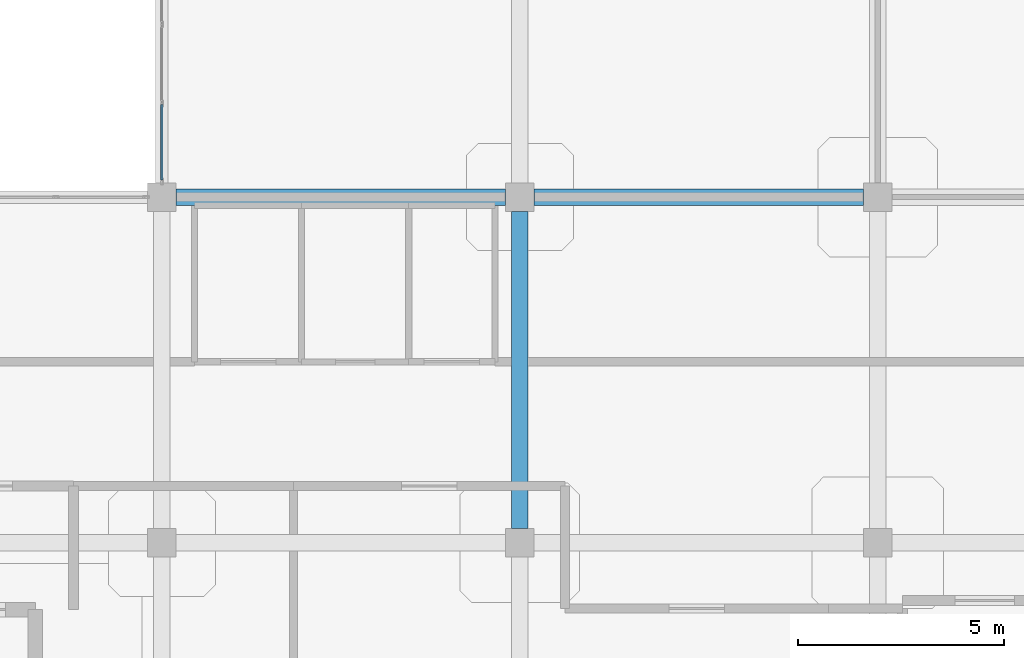
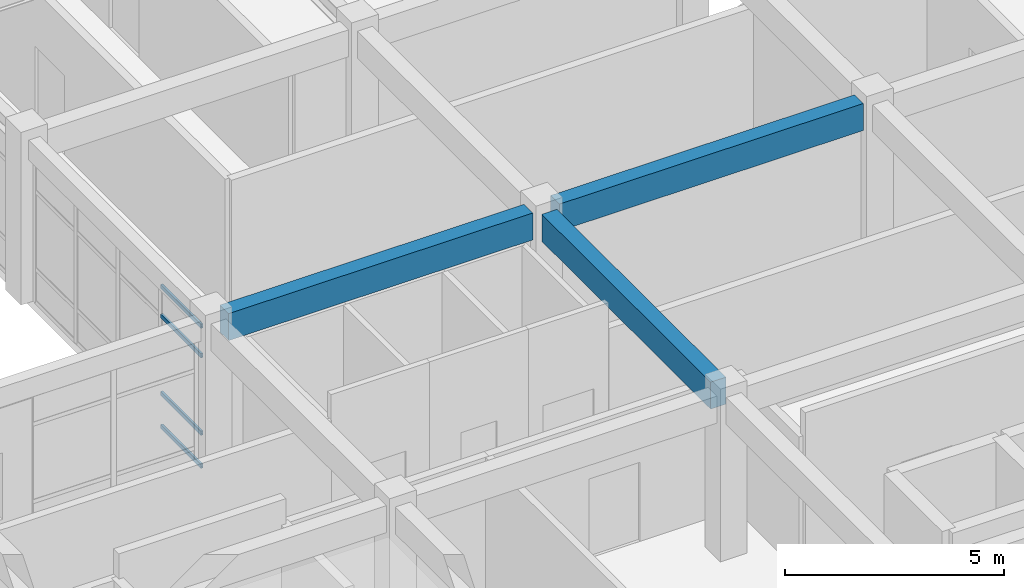
# One storey, part 12 of 76: 4 members, 3 beams, 1 element without a shape of its own.
"""IFC4 building model written with IfcOpenShell, lengths in metres."""

import ifcopenshell
import ifcopenshell.guid

model = None  # the IFC model being written
_history = None  # IfcOwnerHistory: only IFC2X3 demands one
_inside = {}  # id of a spatial element -> (the spatial element, [elements in it])
_under = {}  # id of a project, library or spatial element -> (it, [spatial elements below it])
_declared = {}  # id of a project -> (the project, [libraries it declares])
_typed = {}  # id of a type object -> (the type object, [elements of that type])
_made_of = {}  # id of a material, layer set ... -> (it, [elements and type objects made of it])


def new_model(schema):
    """Start an empty IFC model of exactly this schema.

    Asked for "IFC4X3", IfcOpenShell would pick the latest addendum, in which some entities
    have other attributes; the version numbers below select the first issue.
    IFC2X3 requires an IfcOwnerHistory on every rooted entity: one is made here for all.
    """
    global model, _history
    if schema == "IFC4X3":
        model = ifcopenshell.file(schema_version=(4, 3, 0, 0))
    else:
        model = ifcopenshell.file(schema=schema)
    _inside.clear()
    _under.clear()
    _declared.clear()
    _typed.clear()
    _made_of.clear()
    _history = None
    if model.schema == "IFC2X3":
        org = make("IfcOrganization", Name="unknown")
        user = make(
            "IfcPersonAndOrganization",
            ThePerson=make("IfcPerson", FamilyName="unknown"),
            TheOrganization=org,
        )
        app = make(
            "IfcApplication",
            ApplicationDeveloper=org,
            Version="unknown",
            ApplicationFullName="unknown",
            ApplicationIdentifier="unknown",
        )
        _history = make(
            "IfcOwnerHistory",
            OwningUser=user,
            OwningApplication=app,
            ChangeAction="ADDED",
            CreationDate=0,
        )
    return model


def make(cls, **values):
    """One entity of the class cls with the attributes given. An attribute that is None is left unset."""
    return model.create_entity(
        cls, **{name: value for name, value in values.items() if value is not None}
    )


def rooted(cls, **values):
    """An entity with a GlobalId (a new one), such as an element, a storey or a relation."""
    return make(cls, GlobalId=ifcopenshell.guid.new(), OwnerHistory=_history, **values)


def si_unit(unit_type, name, prefix=None):
    """IfcSIUnit, for example si_unit("LENGTHUNIT", "METRE", prefix="MILLI")."""
    return make("IfcSIUnit", UnitType=unit_type, Prefix=prefix, Name=name)


def derived_unit(unit_type, elements):
    """IfcDerivedUnit: a product of units, each with its exponent."""
    return make(
        "IfcDerivedUnit",
        Elements=[
            make("IfcDerivedUnitElement", Unit=unit, Exponent=power)
            for unit, power in elements
        ],
        UnitType=unit_type,
    )


def assignment(units):
    """IfcUnitAssignment: the units of a project."""
    return None if units is None else make("IfcUnitAssignment", Units=units)


def point(xyz):
    """IfcCartesianPoint."""
    return None if xyz is None else make("IfcCartesianPoint", Coordinates=xyz)


def direction(xyz):
    """IfcDirection."""
    return None if xyz is None else make("IfcDirection", DirectionRatios=xyz)


def frame(location, z_axis=None, x_axis=None):
    """IfcAxis2Placement3D, a coordinate frame: its origin and axes. An axis left out is left unset."""
    return make(
        "IfcAxis2Placement3D",
        Location=point(location),
        Axis=direction(z_axis),
        RefDirection=direction(x_axis),
    )


def frame_2d(location, x_axis=None):
    """IfcAxis2Placement2D, a coordinate frame in the plane: its origin and x axis."""
    return make(
        "IfcAxis2Placement2D", Location=point(location), RefDirection=direction(x_axis)
    )


def origin():
    """The frame at (0, 0, 0) with its axes left unset."""
    return frame((0.0, 0.0, 0.0))


def origin_2d():
    """The frame at (0, 0) in the plane with its x axis left unset."""
    return frame_2d((0.0, 0.0))


def place(relative_to, where):
    """IfcLocalPlacement: puts the frame where relative to a parent placement (None: the world)."""
    return make(
        "IfcLocalPlacement", PlacementRelTo=relative_to, RelativePlacement=where
    )


def context(
    kind, dimensions, precision=None, world=None, true_north=None, identifier=None
):
    """IfcGeometricRepresentationContext, for example the 3D "Model" context."""
    return make(
        "IfcGeometricRepresentationContext",
        ContextIdentifier=identifier,
        ContextType=kind,
        CoordinateSpaceDimension=dimensions,
        Precision=precision,
        WorldCoordinateSystem=world,
        TrueNorth=true_north,
    )


def subcontext(parent, identifier, kind, view, scale=None):
    """IfcGeometricRepresentationSubContext, for example "Body" below "Model"."""
    return make(
        "IfcGeometricRepresentationSubContext",
        ContextIdentifier=identifier,
        ContextType=kind,
        ParentContext=parent,
        TargetScale=scale,
        TargetView=view,
    )


def project(units=None, contexts=None):
    """IfcProject with its units and contexts."""
    return rooted(
        "IfcProject",
        Name="project",
        RepresentationContexts=contexts,
        UnitsInContext=assignment(units),
    )


def spatial(cls, under=None, at=None, **own):
    """A site, building, storey or space (cls), placed at a placement, below another one or the project."""
    s = rooted(cls, ObjectPlacement=at, **own)
    if under is not None:
        _under.setdefault(under.id(), (under, []))[1].append(s)
    return s


def profile(cls, at=None, kind="AREA", **sizes):
    """A parametric profile (cls). Its sizes go by their IFC names, for example OverallWidth=200.0."""
    return make(cls, ProfileType=kind, Position=at, **sizes)


def rectangle(**sizes):
    """IfcRectangleProfileDef."""
    return profile("IfcRectangleProfileDef", **sizes)


def hollow_rectangle(**sizes):
    """IfcRectangleHollowProfileDef."""
    return profile("IfcRectangleHollowProfileDef", **sizes)


def extrude(swept, where, along, depth):
    """IfcExtrudedAreaSolid: the profile swept, set in the frame where, extruded along a direction by depth."""
    return make(
        "IfcExtrudedAreaSolid",
        SweptArea=swept,
        Position=where,
        ExtrudedDirection=direction(along),
        Depth=depth,
    )


def shape(context_of_items, identifier, shape_type, items):
    """IfcShapeRepresentation: the items that make up one representation, for example the "Body"."""
    return make(
        "IfcShapeRepresentation",
        ContextOfItems=context_of_items,
        RepresentationIdentifier=identifier,
        RepresentationType=shape_type,
        Items=items,
    )


def material(Name=None, Category=None):
    """IfcMaterial."""
    return make("IfcMaterial", Name=Name, Category=Category)


def layer(
    of_material, thickness, ventilated=None, Name=None, Category=None, Priority=None
):
    """IfcMaterialLayer: one layer of a wall or slab, of a material (None: an air gap)."""
    return make(
        "IfcMaterialLayer",
        Material=of_material,
        LayerThickness=thickness,
        IsVentilated=ventilated,
        Name=Name,
        Category=Category,
        Priority=Priority,
    )


def layer_set(layers, Name=None):
    """IfcMaterialLayerSet."""
    return make("IfcMaterialLayerSet", MaterialLayers=layers, LayerSetName=Name)


def material_profile(
    of_material, cross_section, Name=None, Category=None, Priority=None
):
    """IfcMaterialProfile: a cross section and its material."""
    return make(
        "IfcMaterialProfile",
        Name=Name,
        Material=of_material,
        Profile=cross_section,
        Priority=Priority,
        Category=Category,
    )


def profile_set(profiles, Name=None, composite=None):
    """IfcMaterialProfileSet."""
    return make(
        "IfcMaterialProfileSet",
        Name=Name,
        MaterialProfiles=profiles,
        CompositeProfile=composite,
    )


def made_of(thing, what):
    """Note that an element or type object is made of a material, layer set ...; save() writes the relation."""
    if what is not None:
        _made_of.setdefault(what.id(), (what, []))[1].append(thing)
    return thing


def type_object(cls, material=None, **own):
    """A type object (cls), such as IfcWallType, which elements share."""
    return made_of(rooted(cls, **own), material)


def element(
    cls,
    number,
    at=None,
    inside=None,
    cuts=None,
    type_object=None,
    material=None,
    context=None,
    identifier="Body",
    shape_type=None,
    held_by="IfcProductDefinitionShape",
    body=None,
    shapes=None,
    **own,
):
    """One element of the class cls, such as IfcWall. Its Tag is "e" and its number.

    at: its placement. inside: the storey or other place that contains it. cuts: it is an
    opening in that element (IfcRelVoidsElement). A single representation is given by context,
    identifier, shape_type and body (its items); several are given by shapes. held_by: the class
    of the entity that holds the representations. save() writes the other relations.
    """
    e = rooted(cls, Tag="e%d" % number, ObjectPlacement=at, **own)
    if body is not None:
        shapes = [shape(context, identifier, shape_type, body)]
    if shapes is not None:
        e.Representation = make(held_by, Representations=shapes)
    if inside is not None:
        _inside.setdefault(inside.id(), (inside, []))[1].append(e)
    if cuts is not None:
        rooted(
            "IfcRelVoidsElement", RelatingBuildingElement=cuts, RelatedOpeningElement=e
        )
    if type_object is not None:
        _typed.setdefault(type_object.id(), (type_object, []))[1].append(e)
    return made_of(e, material)


def aggregate(whole, parts):
    """IfcRelAggregates: a whole, such as a stair, and the parts it consists of."""
    return rooted("IfcRelAggregates", RelatingObject=whole, RelatedObjects=parts)


def save(model, path):
    """Write the relations noted so far, then the file.

    IfcRelAggregates (storeys below a building ...), IfcRelContainedInSpatialStructure (elements
    in a storey), IfcRelDefinesByType, IfcRelAssociatesMaterial and IfcRelDeclares: one each for
    every whole, place, type object, material and project.
    """
    for whole, parts in _under.values():
        aggregate(whole, parts)
    for where, things in _inside.values():
        rooted(
            "IfcRelContainedInSpatialStructure",
            RelatedElements=things,
            RelatingStructure=where,
        )
    for kind, things in _typed.values():
        rooted("IfcRelDefinesByType", RelatedObjects=things, RelatingType=kind)
    for what, things in _made_of.values():
        rooted("IfcRelAssociatesMaterial", RelatedObjects=things, RelatingMaterial=what)
    for by, libraries in _declared.values():
        rooted("IfcRelDeclares", RelatingContext=by, RelatedDefinitions=libraries)
    model.write(path)


model = new_model("IFC4")

# Units and contexts
model_context = context("Model", 3, precision=1e-05, world=origin(), true_north=direction((0.0, 1.0)))
body_context = subcontext(model_context, "Body", "Model", "MODEL_VIEW")
ifc_project = project(units=[si_unit("LENGTHUNIT", "METRE"), si_unit("AREAUNIT", "SQUARE_METRE"), si_unit("VOLUMEUNIT", "CUBIC_METRE"), si_unit("PLANEANGLEUNIT", "RADIAN"), si_unit("MASSUNIT", "GRAM", prefix="KILO"), derived_unit("THERMALTRANSMITTANCEUNIT", [(si_unit("MASSUNIT", "GRAM", prefix="KILO"), 1), (si_unit("TIMEUNIT", "SECOND"), -3), (si_unit("THERMODYNAMICTEMPERATUREUNIT", "KELVIN"), -1)])], contexts=[model_context])

# Site, building, storey
site_placement = place(None, origin())
site = spatial("IfcSite", under=ifc_project, at=site_placement, CompositionType="ELEMENT")
building_placement = place(site_placement, origin())
building = spatial("IfcBuilding", under=site, at=building_placement, Name="Qinzheling Arcade Emporium", CompositionType="ELEMENT")
storey_placement = place(building_placement, frame((0.0, 0.0, 26.699951171875)))
storey = spatial("IfcBuildingStorey", under=building, at=storey_placement, Name="L06", CompositionType="ELEMENT", Elevation=26.699951171875)

# Curtain wall, members
ifc_material_1 = material(Name="Anodised aluminium and solar-control double glazing", Category="aluminium")
ifc_layer = layer(ifc_material_1, 0.159912109375, Name="Anodised aluminium and solar-control double glazing", Category="aluminium")
ifc_layer_set = layer_set([ifc_layer], Name="Anodised aluminium and solar-control double glazing")
curtain_wall_type = type_object("IfcCurtainWallType", Name="Atrium Clerestory Curtain Wall", PredefinedType="NOTDEFINED", material=ifc_layer_set)
curtain_wall_placement = place(storey_placement, origin())
curtain_wall = element("IfcCurtainWall", 1, at=curtain_wall_placement, inside=storey, type_object=curtain_wall_type, Name="Curtain Wall CW-L06-363", PredefinedType="NOTDEFINED")
ifc_material_2 = material(Name="Anodised aluminium 6063-T6", Category="aluminium")
ifc_material_profile_1 = material_profile(ifc_material_2, hollow_rectangle(XDim=0.06005859375, YDim=0.1201171875, WallThickness=0.00390625, InnerFilletRadius=0.00390625, OuterFilletRadius=0.008056640625, at=origin_2d()), Name="RHS 120x60x4", Category="aluminium")
ifc_profile_set_1 = profile_set([ifc_material_profile_1], Name="Anodised aluminium 6063-T6")
member_type = type_object("IfcMemberType", Name="Curtain Wall Transom RHS120x60", PredefinedType="USERDEFINED", material=ifc_profile_set_1)
member_1_placement = place(storey_placement, frame((34.800048828125, 42.412109375, 0.030029296875), z_axis=(0.0, 1.0, 0.0), x_axis=(-1.0, 0.0, 0.0)))
member_1 = element("IfcMember", 2, at=member_1_placement, type_object=member_type, Name="CW03 transom 1.1", ObjectType="TRANSOM", PredefinedType="USERDEFINED", context=body_context, shape_type="SweptSolid", body=[
    extrude(hollow_rectangle(XDim=0.06005859375, YDim=0.1201171875, WallThickness=0.00390625, InnerFilletRadius=0.00390625, OuterFilletRadius=0.008056640625, at=origin_2d()), origin(), (0.0, 0.0, 1.0), 1.833984375),
])
member_2_placement = place(storey_placement, frame((34.800048828125, 42.412109375, 0.949951171875), z_axis=(0.0, 1.0, 0.0), x_axis=(-1.0, 0.0, 0.0)))
member_2 = element("IfcMember", 3, at=member_2_placement, type_object=member_type, Name="CW03 transom 1.2", ObjectType="TRANSOM", PredefinedType="USERDEFINED", context=body_context, shape_type="SweptSolid", body=[
    extrude(hollow_rectangle(XDim=0.06005859375, YDim=0.1201171875, WallThickness=0.00390625, InnerFilletRadius=0.00390625, OuterFilletRadius=0.008056640625, at=origin_2d()), origin(), (0.0, 0.0, 1.0), 1.833984375),
])
member_3_placement = place(storey_placement, frame((34.800048828125, 42.412109375, 3.10498046875), z_axis=(0.0, 1.0, 0.0), x_axis=(-1.0, 0.0, 0.0)))
member_3 = element("IfcMember", 4, at=member_3_placement, type_object=member_type, Name="CW03 transom 1.3", ObjectType="TRANSOM", PredefinedType="USERDEFINED", context=body_context, shape_type="SweptSolid", body=[
    extrude(hollow_rectangle(XDim=0.06005859375, YDim=0.1201171875, WallThickness=0.00390625, InnerFilletRadius=0.00390625, OuterFilletRadius=0.008056640625, at=origin_2d()), origin(), (0.0, 0.0, 1.0), 1.833984375),
])
member_4_placement = place(storey_placement, frame((34.800048828125, 42.412109375, 3.925048828125), z_axis=(0.0, 1.0, 0.0), x_axis=(-1.0, 0.0, 0.0)))
member_4 = element("IfcMember", 5, at=member_4_placement, type_object=member_type, Name="CW03 transom 1.4", ObjectType="TRANSOM", PredefinedType="USERDEFINED", context=body_context, shape_type="SweptSolid", body=[
    extrude(hollow_rectangle(XDim=0.06005859375, YDim=0.1201171875, WallThickness=0.00390625, InnerFilletRadius=0.00390625, OuterFilletRadius=0.008056640625, at=origin_2d()), origin(), (0.0, 0.0, 1.0), 1.833984375),
])
aggregate(curtain_wall, [member_1, member_2, member_3, member_4])

# Beams
ifc_material_3 = material(Name="Concrete C40", Category="concrete")
ifc_material_profile_2 = material_profile(ifc_material_3, rectangle(XDim=0.39990234375, YDim=0.75, at=origin_2d()), Name="RC 400x750", Category="concrete")
ifc_profile_set_2 = profile_set([ifc_material_profile_2], Name="Concrete C40")
beam_type = type_object("IfcBeamType", Name="RC Interior Tie Beam 400x750 C40", PredefinedType="BEAM", material=ifc_profile_set_2)
for number, where, z_axis, x_axis, name in (
    (6, (35.14990234375, 42.0, 4.14501953125), (1.0, 0.0, 0.0), (0.0, 1.0, 0.0), "Beam BM-L06-X-F-5"),
    (7, (43.85009765625, 42.0, 4.14501953125), (1.0, 0.0, 0.0), (0.0, 1.0, 0.0), "Beam BM-L06-X-F-6"),
):
    element("IfcBeam", number, at=place(storey_placement, frame(where, z_axis=z_axis, x_axis=x_axis)), inside=storey, type_object=beam_type, Name=name, PredefinedType="BEAM", context=body_context, shape_type="SweptSolid", body=[
        extrude(rectangle(XDim=0.39990234375, YDim=0.75, at=origin_2d()), origin(), (0.0, 0.0, 1.0), 8.0),
    ])
beam_placement = place(storey_placement, frame((43.5, 33.949951171875, 4.14501953125), z_axis=(0.0, 1.0, 0.0), x_axis=(-1.0, 0.0, 0.0)))
element("IfcBeam", 8, at=beam_placement, inside=storey, type_object=beam_type, Name="Beam BM-L06-Y-6-E", PredefinedType="BEAM", context=body_context, shape_type="SweptSolid", body=[
    extrude(rectangle(XDim=0.39990234375, YDim=0.75, at=origin_2d()), origin(), (0.0, 0.0, 1.0), 7.699951171875),
])

save(model, "model.ifc")
